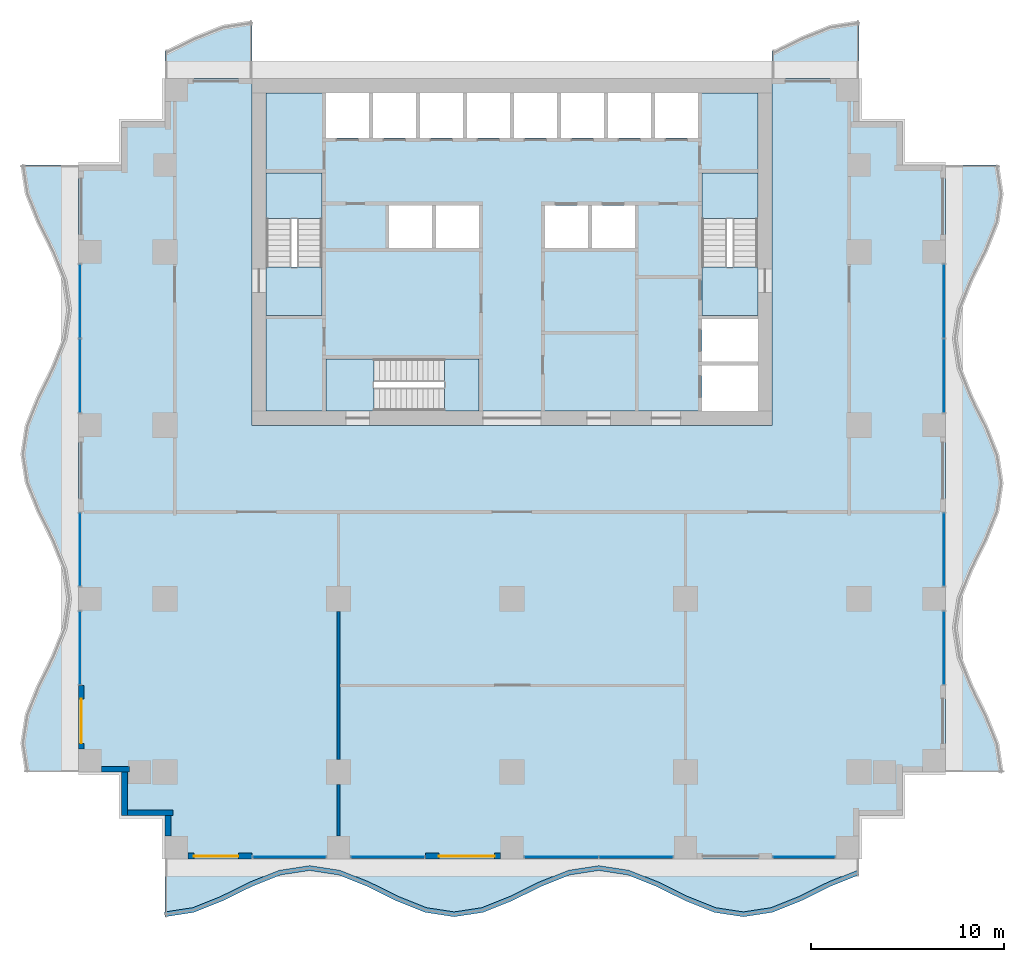
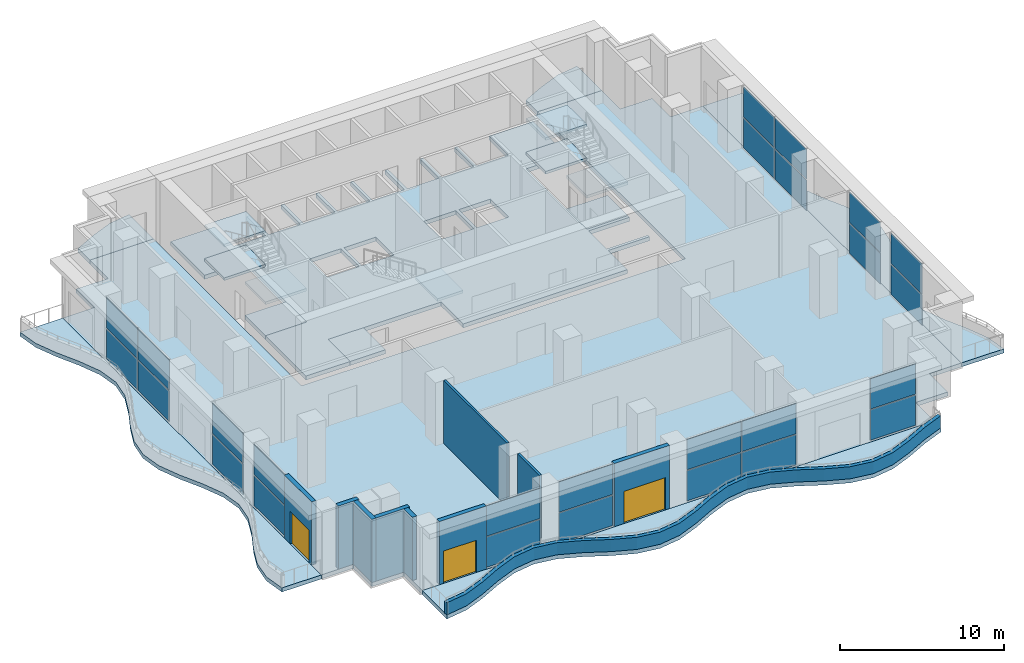
# One storey, part 7 of 14: 26 plates, 17 slabs, 10 walls, 3 doors, 3 openings, 13 elements without a shape of their own.
"""IFC4 building model written with IfcOpenShell, lengths in metres."""

from ifc_helpers import new_model, si_unit, direction, frame, frame_2d, origin, origin_2d, place, context, subcontext, project, spatial, polyline, rectangle, outline, extrude, material, layer, layer_set, type_object, element, fill, aggregate, save


model = new_model("IFC4")

# Units and contexts
model_context = context("Model", 3, precision=1e-05, world=origin(), true_north=direction((0.0, 1.0)))
body_context = subcontext(model_context, "Body", "Model", "MODEL_VIEW")
ifc_project = project(units=[si_unit("LENGTHUNIT", "METRE"), si_unit("AREAUNIT", "SQUARE_METRE"), si_unit("VOLUMEUNIT", "CUBIC_METRE"), si_unit("PLANEANGLEUNIT", "RADIAN"), si_unit("MASSUNIT", "GRAM", prefix="KILO")], contexts=[model_context])

# Site, building, storey
site_placement = place(None, origin())
site = spatial("IfcSite", under=ifc_project, at=site_placement, CompositionType="ELEMENT")
building_placement = place(site_placement, origin())
building = spatial("IfcBuilding", under=site, at=building_placement, Name="Orbiselva Terraces", CompositionType="ELEMENT")
storey_placement = place(building_placement, frame((0.0, 0.0, 120.0)))
storey = spatial("IfcBuildingStorey", under=building, at=storey_placement, Name="L30", CompositionType="ELEMENT", Elevation=120.0)

# Slabs
ifc_material_1 = material(Name="Concrete C40/50", Category="concrete")
ifc_layer_1 = layer(ifc_material_1, 0.3)
ifc_layer_set_1 = layer_set([ifc_layer_1], Name="Concrete C40/50")
slab_type_1 = type_object("IfcSlabType", Name="CORE-SLAB-FLOOR-300", PredefinedType="FLOOR", material=ifc_layer_set_1)
slab_1_placement = place(storey_placement, frame((0.0, 0.0, -0.3)))
element("IfcSlab", 1, at=slab_1_placement, inside=storey, type_object=slab_type_1, Name="L30 S1 floor landing", PredefinedType="FLOOR", context=body_context, shape_type="SweptSolid", body=[
    extrude(outline(polyline([(-12.75, 12.7), (-9.85, 12.7), (-9.85, 10.2), (-12.75, 10.2), (-12.75, 12.7)])), origin(), (0.0, 0.0, 1.0), 0.3),
])
slab_2_placement = place(storey_placement, frame((0.0, 0.0, -0.3)))
element("IfcSlab", 2, at=slab_2_placement, inside=storey, type_object=slab_type_1, Name="L30 S2 floor landing", PredefinedType="FLOOR", context=body_context, shape_type="SweptSolid", body=[
    extrude(outline(polyline([(12.75, 12.7), (12.75, 10.2), (9.85, 10.2), (9.85, 12.7), (12.75, 12.7)])), origin(), (0.0, 0.0, 1.0), 0.3),
])
slab_3_placement = place(storey_placement, frame((0.0, 0.0, -0.3)))
element("IfcSlab", 3, at=slab_3_placement, inside=storey, type_object=slab_type_1, Name="L30 S3 floor landing", PredefinedType="FLOOR", context=body_context, shape_type="SweptSolid", body=[
    extrude(outline(polyline([(-7.15, 5.25), (-9.65, 5.25), (-9.65, 7.95), (-7.15, 7.95), (-7.15, 5.25)])), origin(), (0.0, 0.0, 1.0), 0.3),
])
slab_4_placement = place(storey_placement, frame((0.0, 0.0, -0.3)))
element("IfcSlab", 4, at=slab_4_placement, inside=storey, type_object=slab_type_1, Name="L30 core floor slab 1", PredefinedType="FLOOR", context=body_context, shape_type="SweptSolid", body=[
    extrude(outline(polyline([(-1.7, 5.25), (-1.7, 7.95), (-9.65, 7.95), (-9.65, 5.25), (-12.75, 5.25), (-12.75, 10.2), (-9.85, 10.2), (-9.85, 17.6), (-12.75, 17.6), (-12.75, 21.75), (-9.65, 21.75), (-9.65, 19.4), (-7.4125, 19.4), (-7.4125, 21.75), (-7.2125, 21.75), (-7.2125, 19.4), (-4.975, 19.4), (-4.975, 21.75), (-4.775, 21.75), (-4.775, 19.4), (-2.5375, 19.4), (-2.5375, 21.75), (-2.3375, 21.75), (-2.3375, 19.4), (-0.1, 19.4), (-0.1, 21.75), (0.1, 21.75), (0.1, 19.4), (2.3375, 19.4), (2.3375, 21.75), (2.5375, 21.75), (2.5375, 19.4), (4.775, 19.4), (4.775, 21.75), (4.975, 21.75), (4.975, 19.4), (7.2125, 19.4), (7.2125, 21.75), (7.4125, 21.75), (7.4125, 19.4), (9.65, 19.4), (9.65, 21.75), (12.75, 21.75), (12.75, 17.6), (9.85, 17.6), (9.85, 10.2), (12.75, 10.2), (12.75, 10.0), (9.85, 10.0), (9.85, 7.8), (12.75, 7.8), (12.75, 7.6), (9.85, 7.6), (9.85, 5.25), (-1.7, 5.25)]), holes=[polyline([(-4.1375, 13.7), (-4.1375, 15.9), (-6.375, 15.9), (-6.375, 13.7), (-4.1375, 13.7)]), polyline([(-1.7, 13.7), (-1.7, 15.9), (-3.9375, 15.9), (-3.9375, 13.7), (-1.7, 13.7)]), polyline([(3.9375, 13.7), (3.9375, 15.9), (1.7, 15.9), (1.7, 13.7), (3.9375, 13.7)]), polyline([(6.375, 13.7), (6.375, 15.9), (4.1375, 15.9), (4.1375, 13.7), (6.375, 13.7)])]), origin(), (0.0, 0.0, 1.0), 0.3),
])

# Stair, slabs
stair_type_1 = type_object("IfcStairType", Name="CORE-STAIR-1300", PredefinedType="HALF_TURN_STAIR", material=ifc_material_1)
stair_1_placement = place(storey_placement, origin())
stair_1 = element("IfcStair", 5, at=stair_1_placement, inside=storey, type_object=stair_type_1, Name="L30 Exit Stair S1", PredefinedType="HALF_TURN_STAIR")
ifc_layer_2 = layer(ifc_material_1, 0.2)
ifc_layer_set_2 = layer_set([ifc_layer_2], Name="Concrete C40/50")
slab_type_2 = type_object("IfcSlabType", Name="CORE-STAIR-LANDING-200", PredefinedType="LANDING", material=ifc_layer_set_2)
slab_5_placement = place(storey_placement, frame((0.0, 0.0, 1.05)))
slab_5 = element("IfcSlab", 6, at=slab_5_placement, type_object=slab_type_2, Name="S1 landing 1", PredefinedType="LANDING", context=body_context, shape_type="SweptSolid", body=[
    extrude(outline(polyline([(-9.85, 15.22), (-9.85, 17.6), (-12.75, 17.6), (-12.75, 15.22), (-9.85, 15.22)])), origin(), (0.0, 0.0, 1.0), 0.2),
])
slab_6_placement = place(storey_placement, frame((0.0, 0.0, 2.3)))
slab_6 = element("IfcSlab", 7, at=slab_6_placement, type_object=slab_type_2, Name="S1 landing 2", PredefinedType="LANDING", context=body_context, shape_type="SweptSolid", body=[
    extrude(outline(polyline([(-9.85, 10.2), (-9.85, 12.7), (-12.75, 12.7), (-12.75, 10.2), (-9.85, 10.2)])), origin(), (0.0, 0.0, 1.0), 0.2),
])
slab_7_placement = place(storey_placement, frame((0.0, 0.0, 3.55)))
slab_7 = element("IfcSlab", 8, at=slab_7_placement, type_object=slab_type_2, Name="S1 landing 3", PredefinedType="LANDING", context=body_context, shape_type="SweptSolid", body=[
    extrude(outline(polyline([(-9.85, 15.22), (-9.85, 17.6), (-12.75, 17.6), (-12.75, 15.22), (-9.85, 15.22)])), origin(), (0.0, 0.0, 1.0), 0.2),
])
aggregate(stair_1, [slab_5, slab_6, slab_7])

stair_2_placement = place(storey_placement, origin())
stair_2 = element("IfcStair", 9, at=stair_2_placement, inside=storey, type_object=stair_type_1, Name="L30 Exit Stair S2", PredefinedType="HALF_TURN_STAIR")
slab_8_placement = place(storey_placement, frame((0.0, 0.0, 1.05)))
slab_8 = element("IfcSlab", 10, at=slab_8_placement, type_object=slab_type_2, Name="S2 landing 1", PredefinedType="LANDING", context=body_context, shape_type="SweptSolid", body=[
    extrude(outline(polyline([(12.75, 15.22), (12.75, 17.6), (9.85, 17.6), (9.85, 15.22), (12.75, 15.22)])), origin(), (0.0, 0.0, 1.0), 0.2),
])
slab_9_placement = place(storey_placement, frame((0.0, 0.0, 2.3)))
slab_9 = element("IfcSlab", 11, at=slab_9_placement, type_object=slab_type_2, Name="S2 landing 2", PredefinedType="LANDING", context=body_context, shape_type="SweptSolid", body=[
    extrude(outline(polyline([(12.75, 10.2), (12.75, 12.7), (9.85, 12.7), (9.85, 10.2), (12.75, 10.2)])), origin(), (0.0, 0.0, 1.0), 0.2),
])
slab_10_placement = place(storey_placement, frame((0.0, 0.0, 3.55)))
slab_10 = element("IfcSlab", 12, at=slab_10_placement, type_object=slab_type_2, Name="S2 landing 3", PredefinedType="LANDING", context=body_context, shape_type="SweptSolid", body=[
    extrude(outline(polyline([(12.75, 15.22), (12.75, 17.6), (9.85, 17.6), (9.85, 15.22), (12.75, 15.22)])), origin(), (0.0, 0.0, 1.0), 0.2),
])
aggregate(stair_2, [slab_8, slab_9, slab_10])

# Stair, slab
stair_type_2 = type_object("IfcStairType", Name="CORE-STAIR-1200", PredefinedType="HALF_TURN_STAIR", material=ifc_material_1)
stair_3_placement = place(storey_placement, origin())
stair_3 = element("IfcStair", 13, at=stair_3_placement, inside=storey, type_object=stair_type_2, Name="L30 Exit Stair S3", PredefinedType="HALF_TURN_STAIR")
slab_11_placement = place(storey_placement, frame((0.0, 0.0, 2.3)))
slab_11 = element("IfcSlab", 14, at=slab_11_placement, type_object=slab_type_2, Name="S3 landing 1", PredefinedType="LANDING", context=body_context, shape_type="SweptSolid", body=[
    extrude(outline(polyline([(-3.51, 5.25), (-1.7, 5.25), (-1.7, 7.95), (-3.51, 7.95), (-3.51, 5.25)])), origin(), (0.0, 0.0, 1.0), 0.2),
])
aggregate(stair_3, [slab_11])

# Slabs
ifc_material_2 = material(Name="Concrete C50/60", Category="concrete")
ifc_layer_3 = layer(ifc_material_2, 0.3)
ifc_layer_set_3 = layer_set([ifc_layer_3], Name="Concrete C50/60")
slab_type_3 = type_object("IfcSlabType", Name="ENV-BALCONY-SLAB-300", PredefinedType="FLOOR", material=ifc_layer_set_3)
slab_12_placement = place(storey_placement, frame((0.0, 0.0, -0.3)))
element("IfcSlab", 15, at=slab_12_placement, inside=storey, type_object=slab_type_3, Name="Balcony slab L30 S", PredefinedType="FLOOR", context=body_context, shape_type="SweptSolid", body=[
    extrude(outline(polyline([(-18.0, -21.0), (-16.5, -20.77082), (-15.0, -20.17082), (-13.5, -19.42918), (-12.0, -18.82918), (-10.5, -18.6), (-9.0, -18.82918), (-7.5, -19.42918), (-6.0, -20.17082), (-4.5, -20.77082), (-3.0, -21.0), (-1.5, -20.77082), (0.0, -20.17082), (1.5, -19.42918), (3.0, -18.82918), (4.5, -18.6), (6.0, -18.82918), (7.5, -19.42918), (9.0, -20.17082), (10.5, -20.77082), (12.0, -21.0), (13.5, -20.77082), (15.0, -20.17082), (16.5, -19.42918), (18.0, -18.82918), (18.0, -18.0), (-18.0, -18.0), (-18.0, -21.0)])), origin(), (0.0, 0.0, 1.0), 0.3),
])
slab_13_placement = place(storey_placement, frame((0.0, 0.0, -0.3)))
element("IfcSlab", 16, at=slab_13_placement, inside=storey, type_object=slab_type_3, Name="Balcony slab L30 E", PredefinedType="FLOOR", context=body_context, shape_type="SweptSolid", body=[
    extrude(outline(polyline([(25.5, -13.5), (25.27082, -12.0), (24.67082, -10.5), (23.92918, -9.0), (23.32918, -7.5), (23.1, -6.0), (23.32918, -4.5), (23.92918, -3.0), (24.67082, -1.5), (25.27082, 0.0), (25.5, 1.5), (25.27082, 3.0), (24.67082, 4.5), (23.92918, 6.0), (23.32918, 7.5), (23.1, 9.0), (23.32918, 10.5), (23.92918, 12.0), (24.67082, 13.5), (25.27082, 15.0), (25.5, 16.5), (25.27082, 18.0), (22.5, 18.0), (22.5, -13.5), (25.5, -13.5)])), origin(), (0.0, 0.0, 1.0), 0.3),
])
slab_14_placement = place(storey_placement, frame((0.0, 0.0, -0.3)))
element("IfcSlab", 17, at=slab_14_placement, inside=storey, type_object=slab_type_3, Name="Balcony slab L30 NE", PredefinedType="FLOOR", context=body_context, shape_type="SweptSolid", body=[
    extrude(outline(polyline([(18.0, 25.5), (16.5, 25.27082), (15.0, 24.67082), (13.5, 23.92918), (13.5, 22.5), (18.0, 22.5), (18.0, 25.5)])), origin(), (0.0, 0.0, 1.0), 0.3),
])
slab_15_placement = place(storey_placement, frame((0.0, 0.0, -0.3)))
element("IfcSlab", 18, at=slab_15_placement, inside=storey, type_object=slab_type_3, Name="Balcony slab L30 NW", PredefinedType="FLOOR", context=body_context, shape_type="SweptSolid", body=[
    extrude(outline(polyline([(-13.5, 25.5), (-15.0, 25.27082), (-16.5, 24.67082), (-18.0, 23.92918), (-18.0, 22.5), (-13.5, 22.5), (-13.5, 25.5)])), origin(), (0.0, 0.0, 1.0), 0.3),
])
slab_16_placement = place(storey_placement, frame((0.0, 0.0, -0.3)))
element("IfcSlab", 19, at=slab_16_placement, inside=storey, type_object=slab_type_3, Name="Balcony slab L30 W", PredefinedType="FLOOR", context=body_context, shape_type="SweptSolid", body=[
    extrude(outline(polyline([(-25.5, 18.0), (-25.27082, 16.5), (-24.67082, 15.0), (-23.92918, 13.5), (-23.32918, 12.0), (-23.1, 10.5), (-23.32918, 9.0), (-23.92918, 7.5), (-24.67082, 6.0), (-25.27082, 4.5), (-25.5, 3.0), (-25.27082, 1.5), (-24.67082, 0.0), (-23.92918, -1.5), (-23.32918, -3.0), (-23.1, -4.5), (-23.32918, -6.0), (-23.92918, -7.5), (-24.67082, -9.0), (-25.27082, -10.5), (-25.5, -12.0), (-25.27082, -13.5), (-22.5, -13.5), (-22.5, 18.0), (-25.5, 18.0)])), origin(), (0.0, 0.0, 1.0), 0.3),
])

# Curtain wall, plates
ifc_material_3 = material(Name="Clear low-e glazing in aluminium frame", Category="aluminium")
curtain_wall_type = type_object("IfcCurtainWallType", Name="ENV-CW-SKY", PredefinedType="NOTDEFINED", material=ifc_material_3)
curtain_wall_1_placement = place(storey_placement, origin())
curtain_wall_1 = element("IfcCurtainWall", 20, at=curtain_wall_1_placement, inside=storey, type_object=curtain_wall_type, Name="Curtain wall L30 S", PredefinedType="NOTDEFINED")
ifc_material_4 = material(Name="Clear low-e glass", Category="glass")
ifc_layer_4 = layer(ifc_material_4, 0.028)
ifc_layer_set_4 = layer_set([ifc_layer_4], Name="Clear low-e glass")
plate_type = type_object("IfcPlateType", Name="ENV-CW-SKY-PANEL-28", PredefinedType="CURTAIN_PANEL", material=ifc_layer_set_4)
plate_1_placement = place(storey_placement, frame((-11.55, -17.9, 0.065), z_axis=(0.0, 0.0, 1.0), x_axis=(1.0, 0.0, 0.0)))
plate_1 = element("IfcPlate", 21, at=plate_1_placement, type_object=plate_type, Name="CW3 panel 1.1", PredefinedType="CURTAIN_PANEL", context=body_context, shape_type="SweptSolid", body=[
    extrude(rectangle(XDim=3.77, YDim=0.028, at=origin_2d()), origin(), (0.0, 0.0, 1.0), 2.2525),
])
plate_2_placement = place(storey_placement, frame((-11.55, -17.9, 2.3825), z_axis=(0.0, 0.0, 1.0), x_axis=(1.0, 0.0, 0.0)))
plate_2 = element("IfcPlate", 22, at=plate_2_placement, type_object=plate_type, Name="CW3 panel 1.2", PredefinedType="CURTAIN_PANEL", context=body_context, shape_type="SweptSolid", body=[
    extrude(rectangle(XDim=3.77, YDim=0.028, at=origin_2d()), origin(), (0.0, 0.0, 1.0), 2.2525),
])
aggregate(curtain_wall_1, [plate_1, plate_2])

curtain_wall_2_placement = place(storey_placement, origin())
curtain_wall_2 = element("IfcCurtainWall", 23, at=curtain_wall_2_placement, inside=storey, type_object=curtain_wall_type, Name="Curtain wall L30 S", PredefinedType="NOTDEFINED")
plate_3_placement = place(storey_placement, frame((-6.45, -17.9, 0.065), z_axis=(0.0, 0.0, 1.0), x_axis=(1.0, 0.0, 0.0)))
plate_3 = element("IfcPlate", 24, at=plate_3_placement, type_object=plate_type, Name="CW3 panel 1.1", PredefinedType="CURTAIN_PANEL", context=body_context, shape_type="SweptSolid", body=[
    extrude(rectangle(XDim=3.77, YDim=0.028, at=origin_2d()), origin(), (0.0, 0.0, 1.0), 2.2525),
])
plate_4_placement = place(storey_placement, frame((-6.45, -17.9, 2.3825), z_axis=(0.0, 0.0, 1.0), x_axis=(1.0, 0.0, 0.0)))
plate_4 = element("IfcPlate", 25, at=plate_4_placement, type_object=plate_type, Name="CW3 panel 1.2", PredefinedType="CURTAIN_PANEL", context=body_context, shape_type="SweptSolid", body=[
    extrude(rectangle(XDim=3.77, YDim=0.028, at=origin_2d()), origin(), (0.0, 0.0, 1.0), 2.2525),
])
aggregate(curtain_wall_2, [plate_3, plate_4])

curtain_wall_3_placement = place(storey_placement, origin())
curtain_wall_3 = element("IfcCurtainWall", 26, at=curtain_wall_3_placement, inside=storey, type_object=curtain_wall_type, Name="Curtain wall L30 S", PredefinedType="NOTDEFINED")
plate_5_placement = place(storey_placement, frame((2.56625, -17.9, 0.065), z_axis=(0.0, 0.0, 1.0), x_axis=(1.0, 0.0, 0.0)))
plate_5 = element("IfcPlate", 27, at=plate_5_placement, type_object=plate_type, Name="CW3 panel 1.1", PredefinedType="CURTAIN_PANEL", context=body_context, shape_type="SweptSolid", body=[
    extrude(rectangle(XDim=3.8025, YDim=0.028, at=origin_2d()), origin(), (0.0, 0.0, 1.0), 2.2525),
])
plate_6_placement = place(storey_placement, frame((2.56625, -17.9, 2.3825), z_axis=(0.0, 0.0, 1.0), x_axis=(1.0, 0.0, 0.0)))
plate_6 = element("IfcPlate", 28, at=plate_6_placement, type_object=plate_type, Name="CW3 panel 1.2", PredefinedType="CURTAIN_PANEL", context=body_context, shape_type="SweptSolid", body=[
    extrude(rectangle(XDim=3.8025, YDim=0.028, at=origin_2d()), origin(), (0.0, 0.0, 1.0), 2.2525),
])
plate_7_placement = place(storey_placement, frame((6.43375, -17.9, 0.065), z_axis=(0.0, 0.0, 1.0), x_axis=(1.0, 0.0, 0.0)))
plate_7 = element("IfcPlate", 29, at=plate_7_placement, type_object=plate_type, Name="CW3 panel 2.1", PredefinedType="CURTAIN_PANEL", context=body_context, shape_type="SweptSolid", body=[
    extrude(rectangle(XDim=3.8025, YDim=0.028, at=origin_2d()), origin(), (0.0, 0.0, 1.0), 2.2525),
])
plate_8_placement = place(storey_placement, frame((6.43375, -17.9, 2.3825), z_axis=(0.0, 0.0, 1.0), x_axis=(1.0, 0.0, 0.0)))
plate_8 = element("IfcPlate", 30, at=plate_8_placement, type_object=plate_type, Name="CW3 panel 2.2", PredefinedType="CURTAIN_PANEL", context=body_context, shape_type="SweptSolid", body=[
    extrude(rectangle(XDim=3.8025, YDim=0.028, at=origin_2d()), origin(), (0.0, 0.0, 1.0), 2.2525),
])
aggregate(curtain_wall_3, [plate_5, plate_6, plate_7, plate_8])

curtain_wall_4_placement = place(storey_placement, origin())
curtain_wall_4 = element("IfcCurtainWall", 31, at=curtain_wall_4_placement, inside=storey, type_object=curtain_wall_type, Name="Curtain wall L30 S", PredefinedType="NOTDEFINED")
plate_9_placement = place(storey_placement, frame((15.15, -17.9, 0.065), z_axis=(0.0, 0.0, 1.0), x_axis=(1.0, 0.0, 0.0)))
plate_9 = element("IfcPlate", 32, at=plate_9_placement, type_object=plate_type, Name="CW3 panel 1.1", PredefinedType="CURTAIN_PANEL", context=body_context, shape_type="SweptSolid", body=[
    extrude(rectangle(XDim=3.17, YDim=0.028, at=origin_2d()), origin(), (0.0, 0.0, 1.0), 2.2525),
])
plate_10_placement = place(storey_placement, frame((15.15, -17.9, 2.3825), z_axis=(0.0, 0.0, 1.0), x_axis=(1.0, 0.0, 0.0)))
plate_10 = element("IfcPlate", 33, at=plate_10_placement, type_object=plate_type, Name="CW3 panel 1.2", PredefinedType="CURTAIN_PANEL", context=body_context, shape_type="SweptSolid", body=[
    extrude(rectangle(XDim=3.17, YDim=0.028, at=origin_2d()), origin(), (0.0, 0.0, 1.0), 2.2525),
])
aggregate(curtain_wall_4, [plate_9, plate_10])

curtain_wall_5_placement = place(storey_placement, origin())
curtain_wall_5 = element("IfcCurtainWall", 34, at=curtain_wall_5_placement, inside=storey, type_object=curtain_wall_type, Name="Curtain wall L30 E", PredefinedType="NOTDEFINED")
plate_11_placement = place(storey_placement, frame((22.4, -7.05, 0.065), z_axis=(0.0, 0.0, 1.0), x_axis=(0.0, 1.0, 0.0)))
plate_11 = element("IfcPlate", 35, at=plate_11_placement, type_object=plate_type, Name="CW3 panel 1.1", PredefinedType="CURTAIN_PANEL", context=body_context, shape_type="SweptSolid", body=[
    extrude(rectangle(XDim=3.77, YDim=0.028, at=origin_2d()), origin(), (0.0, 0.0, 1.0), 2.2525),
])
plate_12_placement = place(storey_placement, frame((22.4, -7.05, 2.3825), z_axis=(0.0, 0.0, 1.0), x_axis=(0.0, 1.0, 0.0)))
plate_12 = element("IfcPlate", 36, at=plate_12_placement, type_object=plate_type, Name="CW3 panel 1.2", PredefinedType="CURTAIN_PANEL", context=body_context, shape_type="SweptSolid", body=[
    extrude(rectangle(XDim=3.77, YDim=0.028, at=origin_2d()), origin(), (0.0, 0.0, 1.0), 2.2525),
])
aggregate(curtain_wall_5, [plate_11, plate_12])

curtain_wall_6_placement = place(storey_placement, origin())
curtain_wall_6 = element("IfcCurtainWall", 37, at=curtain_wall_6_placement, inside=storey, type_object=curtain_wall_type, Name="Curtain wall L30 E", PredefinedType="NOTDEFINED")
plate_13_placement = place(storey_placement, frame((22.4, -1.95, 0.065), z_axis=(0.0, 0.0, 1.0), x_axis=(0.0, 1.0, 0.0)))
plate_13 = element("IfcPlate", 38, at=plate_13_placement, type_object=plate_type, Name="CW3 panel 1.1", PredefinedType="CURTAIN_PANEL", context=body_context, shape_type="SweptSolid", body=[
    extrude(rectangle(XDim=3.77, YDim=0.028, at=origin_2d()), origin(), (0.0, 0.0, 1.0), 2.2525),
])
plate_14_placement = place(storey_placement, frame((22.4, -1.95, 2.3825), z_axis=(0.0, 0.0, 1.0), x_axis=(0.0, 1.0, 0.0)))
plate_14 = element("IfcPlate", 39, at=plate_14_placement, type_object=plate_type, Name="CW3 panel 1.2", PredefinedType="CURTAIN_PANEL", context=body_context, shape_type="SweptSolid", body=[
    extrude(rectangle(XDim=3.77, YDim=0.028, at=origin_2d()), origin(), (0.0, 0.0, 1.0), 2.2525),
])
aggregate(curtain_wall_6, [plate_13, plate_14])

curtain_wall_7_placement = place(storey_placement, origin())
curtain_wall_7 = element("IfcCurtainWall", 40, at=curtain_wall_7_placement, inside=storey, type_object=curtain_wall_type, Name="Curtain wall L30 E", PredefinedType="NOTDEFINED")
plate_15_placement = place(storey_placement, frame((22.4, 7.06625, 0.065), z_axis=(0.0, 0.0, 1.0), x_axis=(0.0, 1.0, 0.0)))
plate_15 = element("IfcPlate", 41, at=plate_15_placement, type_object=plate_type, Name="CW3 panel 1.1", PredefinedType="CURTAIN_PANEL", context=body_context, shape_type="SweptSolid", body=[
    extrude(rectangle(XDim=3.8025, YDim=0.028, at=origin_2d()), origin(), (0.0, 0.0, 1.0), 2.2525),
])
plate_16_placement = place(storey_placement, frame((22.4, 7.06625, 2.3825), z_axis=(0.0, 0.0, 1.0), x_axis=(0.0, 1.0, 0.0)))
plate_16 = element("IfcPlate", 42, at=plate_16_placement, type_object=plate_type, Name="CW3 panel 1.2", PredefinedType="CURTAIN_PANEL", context=body_context, shape_type="SweptSolid", body=[
    extrude(rectangle(XDim=3.8025, YDim=0.028, at=origin_2d()), origin(), (0.0, 0.0, 1.0), 2.2525),
])
plate_17_placement = place(storey_placement, frame((22.4, 10.93375, 0.065), z_axis=(0.0, 0.0, 1.0), x_axis=(0.0, 1.0, 0.0)))
plate_17 = element("IfcPlate", 43, at=plate_17_placement, type_object=plate_type, Name="CW3 panel 2.1", PredefinedType="CURTAIN_PANEL", context=body_context, shape_type="SweptSolid", body=[
    extrude(rectangle(XDim=3.8025, YDim=0.028, at=origin_2d()), origin(), (0.0, 0.0, 1.0), 2.2525),
])
plate_18_placement = place(storey_placement, frame((22.4, 10.93375, 2.3825), z_axis=(0.0, 0.0, 1.0), x_axis=(0.0, 1.0, 0.0)))
plate_18 = element("IfcPlate", 44, at=plate_18_placement, type_object=plate_type, Name="CW3 panel 2.2", PredefinedType="CURTAIN_PANEL", context=body_context, shape_type="SweptSolid", body=[
    extrude(rectangle(XDim=3.8025, YDim=0.028, at=origin_2d()), origin(), (0.0, 0.0, 1.0), 2.2525),
])
aggregate(curtain_wall_7, [plate_15, plate_16, plate_17, plate_18])

curtain_wall_8_placement = place(storey_placement, origin())
curtain_wall_8 = element("IfcCurtainWall", 45, at=curtain_wall_8_placement, inside=storey, type_object=curtain_wall_type, Name="Curtain wall L30 W", PredefinedType="NOTDEFINED")
plate_19_placement = place(storey_placement, frame((-22.4, 10.93375, 0.065), z_axis=(0.0, 0.0, 1.0), x_axis=(0.0, -1.0, 0.0)))
plate_19 = element("IfcPlate", 46, at=plate_19_placement, type_object=plate_type, Name="CW3 panel 1.1", PredefinedType="CURTAIN_PANEL", context=body_context, shape_type="SweptSolid", body=[
    extrude(rectangle(XDim=3.8025, YDim=0.028, at=origin_2d()), origin(), (0.0, 0.0, 1.0), 2.2525),
])
plate_20_placement = place(storey_placement, frame((-22.4, 10.93375, 2.3825), z_axis=(0.0, 0.0, 1.0), x_axis=(0.0, -1.0, 0.0)))
plate_20 = element("IfcPlate", 47, at=plate_20_placement, type_object=plate_type, Name="CW3 panel 1.2", PredefinedType="CURTAIN_PANEL", context=body_context, shape_type="SweptSolid", body=[
    extrude(rectangle(XDim=3.8025, YDim=0.028, at=origin_2d()), origin(), (0.0, 0.0, 1.0), 2.2525),
])
plate_21_placement = place(storey_placement, frame((-22.4, 7.06625, 0.065), z_axis=(0.0, 0.0, 1.0), x_axis=(0.0, -1.0, 0.0)))
plate_21 = element("IfcPlate", 48, at=plate_21_placement, type_object=plate_type, Name="CW3 panel 2.1", PredefinedType="CURTAIN_PANEL", context=body_context, shape_type="SweptSolid", body=[
    extrude(rectangle(XDim=3.8025, YDim=0.028, at=origin_2d()), origin(), (0.0, 0.0, 1.0), 2.2525),
])
plate_22_placement = place(storey_placement, frame((-22.4, 7.06625, 2.3825), z_axis=(0.0, 0.0, 1.0), x_axis=(0.0, -1.0, 0.0)))
plate_22 = element("IfcPlate", 49, at=plate_22_placement, type_object=plate_type, Name="CW3 panel 2.2", PredefinedType="CURTAIN_PANEL", context=body_context, shape_type="SweptSolid", body=[
    extrude(rectangle(XDim=3.8025, YDim=0.028, at=origin_2d()), origin(), (0.0, 0.0, 1.0), 2.2525),
])
aggregate(curtain_wall_8, [plate_19, plate_20, plate_21, plate_22])

curtain_wall_9_placement = place(storey_placement, origin())
curtain_wall_9 = element("IfcCurtainWall", 50, at=curtain_wall_9_placement, inside=storey, type_object=curtain_wall_type, Name="Curtain wall L30 W", PredefinedType="NOTDEFINED")
plate_23_placement = place(storey_placement, frame((-22.4, -1.95, 0.065), z_axis=(0.0, 0.0, 1.0), x_axis=(0.0, -1.0, 0.0)))
plate_23 = element("IfcPlate", 51, at=plate_23_placement, type_object=plate_type, Name="CW3 panel 1.1", PredefinedType="CURTAIN_PANEL", context=body_context, shape_type="SweptSolid", body=[
    extrude(rectangle(XDim=3.77, YDim=0.028, at=origin_2d()), origin(), (0.0, 0.0, 1.0), 2.2525),
])
plate_24_placement = place(storey_placement, frame((-22.4, -1.95, 2.3825), z_axis=(0.0, 0.0, 1.0), x_axis=(0.0, -1.0, 0.0)))
plate_24 = element("IfcPlate", 52, at=plate_24_placement, type_object=plate_type, Name="CW3 panel 1.2", PredefinedType="CURTAIN_PANEL", context=body_context, shape_type="SweptSolid", body=[
    extrude(rectangle(XDim=3.77, YDim=0.028, at=origin_2d()), origin(), (0.0, 0.0, 1.0), 2.2525),
])
aggregate(curtain_wall_9, [plate_23, plate_24])

curtain_wall_10_placement = place(storey_placement, origin())
curtain_wall_10 = element("IfcCurtainWall", 53, at=curtain_wall_10_placement, inside=storey, type_object=curtain_wall_type, Name="Curtain wall L30 W", PredefinedType="NOTDEFINED")
plate_25_placement = place(storey_placement, frame((-22.4, -7.05, 0.065), z_axis=(0.0, 0.0, 1.0), x_axis=(0.0, -1.0, 0.0)))
plate_25 = element("IfcPlate", 54, at=plate_25_placement, type_object=plate_type, Name="CW3 panel 1.1", PredefinedType="CURTAIN_PANEL", context=body_context, shape_type="SweptSolid", body=[
    extrude(rectangle(XDim=3.77, YDim=0.028, at=origin_2d()), origin(), (0.0, 0.0, 1.0), 2.2525),
])
plate_26_placement = place(storey_placement, frame((-22.4, -7.05, 2.3825), z_axis=(0.0, 0.0, 1.0), x_axis=(0.0, -1.0, 0.0)))
plate_26 = element("IfcPlate", 55, at=plate_26_placement, type_object=plate_type, Name="CW3 panel 1.2", PredefinedType="CURTAIN_PANEL", context=body_context, shape_type="SweptSolid", body=[
    extrude(rectangle(XDim=3.77, YDim=0.028, at=origin_2d()), origin(), (0.0, 0.0, 1.0), 2.2525),
])
aggregate(curtain_wall_10, [plate_25, plate_26])

# Slab
ifc_layer_5 = layer(ifc_material_2, 0.3)
ifc_layer_set_5 = layer_set([ifc_layer_5], Name="Concrete C50/60")
slab_type_4 = type_object("IfcSlabType", Name="FLOOR SLAB 300", PredefinedType="FLOOR", material=ifc_layer_set_5)
slab_17_placement = place(storey_placement, frame((0.0, 0.0, -0.3)))
element("IfcSlab", 56, at=slab_17_placement, inside=storey, type_object=slab_type_4, Name="Floor slab L30", PredefinedType="FLOOR", context=body_context, shape_type="SweptSolid", body=[
    extrude(outline(polyline([(18.0, 22.5), (18.0, 20.25), (20.25, 20.25), (20.25, 18.0), (22.5, 18.0), (22.5, -13.5), (20.25, -13.5), (20.25, -15.75), (18.0, -15.75), (18.0, -18.0), (-18.0, -18.0), (-18.0, -15.75), (-20.25, -15.75), (-20.25, -13.5), (-22.5, -13.5), (-22.5, 18.0), (-20.25, 18.0), (-20.25, 20.25), (-18.0, 20.25), (-18.0, 22.5), (-13.5, 22.5), (-13.5, 4.5), (13.5, 4.5), (13.5, 22.5), (18.0, 22.5)])), origin(), (0.0, 0.0, 1.0), 0.3),
])

# Wall
ifc_layer_6 = layer(ifc_material_1, 0.25)
ifc_layer_set_6 = layer_set([ifc_layer_6], Name="Concrete C40/50")
wall_type_1 = type_object("IfcWallType", Name="ENV-PLANTER-250x900", PredefinedType="USERDEFINED", material=ifc_layer_set_6)
wall_1_placement = place(storey_placement, origin())
element("IfcWall", 57, at=wall_1_placement, inside=storey, type_object=wall_type_1, Name="Balcony planter L30 S", ObjectType="PLANTER", PredefinedType="USERDEFINED", context=body_context, shape_type="SweptSolid", body=[
    extrude(outline(polyline([(-18.0, -21.0), (-16.5, -20.77082), (-15.0, -20.17082), (-13.5, -19.42918), (-12.0, -18.82918), (-10.5, -18.6), (-9.0, -18.82918), (-7.5, -19.42918), (-6.0, -20.17082), (-4.5, -20.77082), (-3.0, -21.0), (-1.5, -20.77082), (0.0, -20.17082), (1.5, -19.42918), (3.0, -18.82918), (4.5, -18.6), (6.0, -18.82918), (7.5, -19.42918), (9.0, -20.17082), (10.5, -20.77082), (12.0, -21.0), (13.5, -20.77082), (15.0, -20.17082), (16.5, -19.42918), (18.0, -18.82918), (17.907152, -18.597061), (16.398017, -19.200715), (14.898017, -19.942355), (13.433834, -20.528028), (12.0, -20.747099), (10.566166, -20.528028), (9.101983, -19.942355), (7.601983, -19.200715), (6.066166, -18.586388), (4.5, -18.347099), (2.933834, -18.586388), (1.398017, -19.200715), (-0.101983, -19.942355), (-1.566166, -20.528028), (-3.0, -20.747099), (-4.433834, -20.528028), (-5.898017, -19.942355), (-7.398017, -19.200715), (-8.933834, -18.586388), (-10.5, -18.347099), (-12.066166, -18.586388), (-13.601983, -19.200715), (-15.101983, -19.942355), (-16.566166, -20.528028), (-18.037758, -20.752868), (-18.0, -21.0)])), origin(), (0.0, 0.0, 1.0), 0.9),
])

# Wall, opening, door
ifc_material_5 = material(Name="Terracotta cladding on masonry backing", Category="masonry")
ifc_layer_7 = layer(ifc_material_5, 0.3)
ifc_layer_set_7 = layer_set([ifc_layer_7], Name="Terracotta cladding on masonry backing")
wall_type_2 = type_object("IfcWallType", Name="ENV-WALL-TERRACOTTA-300", PredefinedType="SOLIDWALL", material=ifc_layer_set_7)
wall_2_placement = place(storey_placement, frame((-13.5, -17.85, 0.0), z_axis=(0.0, 0.0, 1.0), x_axis=(-1.0, 0.0, 0.0)))
wall_2 = element("IfcWall", 58, at=wall_2_placement, inside=storey, type_object=wall_type_2, Name="Facade wall L30 S", PredefinedType="SOLIDWALL", context=body_context, shape_type="SweptSolid", body=[
    extrude(rectangle(XDim=3.3, YDim=0.3, at=frame_2d((1.65, 0.0))), origin(), (0.0, 0.0, 1.0), 4.7),
])
opening_1_placement = place(wall_2_placement, frame((0.7, 0.0, 0.0)))
opening_1 = element("IfcOpeningElement", 59, at=opening_1_placement, cuts=wall_2, Name="Opening SKY-2-E01", PredefinedType="OPENING", context=body_context, shape_type="SweptSolid", body=[
    extrude(rectangle(XDim=2.3, YDim=2.4, at=frame_2d((1.15, 1.2))), frame((0.0, 0.16, 0.0), z_axis=(0.0, -1.0, 0.0), x_axis=(1.0, 0.0, 0.0)), (0.0, 0.0, 1.0), 0.32),
])
door_type_1 = type_object("IfcDoorType", Name="BALCONY DOOR 2300 X 2400", OperationType="DOUBLE_DOOR_SLIDING", PredefinedType="DOOR", material=ifc_material_3)
door_1_placement = place(opening_1_placement, origin())
door_1 = element("IfcDoor", 60, at=door_1_placement, inside=storey, type_object=door_type_1, Name="SKY-2-E01", OperationType="SINGLE_SWING_LEFT", OverallHeight=2.4, OverallWidth=2.3, PredefinedType="DOOR", context=body_context, shape_type="SweptSolid", body=[
    extrude(rectangle(XDim=2.3, YDim=2.4, at=frame_2d((1.15, 1.2))), frame((0.0, 0.025, 0.0), z_axis=(0.0, -1.0, 0.0), x_axis=(1.0, 0.0, 0.0)), (0.0, 0.0, 1.0), 0.05),
])
fill(opening_1, door_1)

wall_3_placement = place(storey_placement, frame((-0.6, -17.85, 0.0), z_axis=(0.0, 0.0, 1.0), x_axis=(-1.0, 0.0, 0.0)))
wall_3 = element("IfcWall", 61, at=wall_3_placement, inside=storey, type_object=wall_type_2, Name="Facade wall L30 S", PredefinedType="SOLIDWALL", context=body_context, shape_type="SweptSolid", body=[
    extrude(rectangle(XDim=3.9, YDim=0.3, at=frame_2d((1.95, 0.0))), origin(), (0.0, 0.0, 1.0), 4.7),
])
opening_2_placement = place(wall_3_placement, frame((0.3, 0.0, 0.0)))
opening_2 = element("IfcOpeningElement", 62, at=opening_2_placement, cuts=wall_3, Name="Opening SKY-2-E02", PredefinedType="OPENING", context=body_context, shape_type="SweptSolid", body=[
    extrude(rectangle(XDim=2.9, YDim=2.4, at=frame_2d((1.45, 1.2))), frame((0.0, 0.16, 0.0), z_axis=(0.0, -1.0, 0.0), x_axis=(1.0, 0.0, 0.0)), (0.0, 0.0, 1.0), 0.32),
])
door_type_2 = type_object("IfcDoorType", Name="BALCONY DOOR 2900 X 2400", OperationType="DOUBLE_DOOR_SLIDING", PredefinedType="DOOR", material=ifc_material_3)
door_2_placement = place(opening_2_placement, origin())
door_2 = element("IfcDoor", 63, at=door_2_placement, inside=storey, type_object=door_type_2, Name="SKY-2-E02", OperationType="SINGLE_SWING_LEFT", OverallHeight=2.4, OverallWidth=2.9, PredefinedType="DOOR", context=body_context, shape_type="SweptSolid", body=[
    extrude(rectangle(XDim=2.9, YDim=2.4, at=frame_2d((1.45, 1.2))), frame((0.0, 0.025, 0.0), z_axis=(0.0, -1.0, 0.0), x_axis=(1.0, 0.0, 0.0)), (0.0, 0.0, 1.0), 0.05),
])
fill(opening_2, door_2)

wall_4_placement = place(storey_placement, frame((-22.35, -12.3, 0.0), z_axis=(0.0, 0.0, 1.0), x_axis=(0.0, 1.0, 0.0)))
wall_4 = element("IfcWall", 64, at=wall_4_placement, inside=storey, type_object=wall_type_2, Name="Facade wall L30 W", PredefinedType="SOLIDWALL", context=body_context, shape_type="SweptSolid", body=[
    extrude(rectangle(XDim=3.3, YDim=0.3, at=frame_2d((1.65, 0.0))), origin(), (0.0, 0.0, 1.0), 4.7),
])
opening_3_placement = place(wall_4_placement, frame((0.3, 0.0, 0.0)))
opening_3 = element("IfcOpeningElement", 65, at=opening_3_placement, cuts=wall_4, Name="Opening SKY-2-E11", PredefinedType="OPENING", context=body_context, shape_type="SweptSolid", body=[
    extrude(rectangle(XDim=2.3, YDim=2.4, at=frame_2d((1.15, 1.2))), frame((0.0, 0.16, 0.0), z_axis=(0.0, -1.0, 0.0), x_axis=(1.0, 0.0, 0.0)), (0.0, 0.0, 1.0), 0.32),
])
door_3_placement = place(opening_3_placement, origin())
door_3 = element("IfcDoor", 66, at=door_3_placement, inside=storey, type_object=door_type_1, Name="SKY-2-E11", OperationType="SINGLE_SWING_LEFT", OverallHeight=2.4, OverallWidth=2.3, PredefinedType="DOOR", context=body_context, shape_type="SweptSolid", body=[
    extrude(rectangle(XDim=2.3, YDim=2.4, at=frame_2d((1.15, 1.2))), frame((0.0, 0.025, 0.0), z_axis=(0.0, -1.0, 0.0), x_axis=(1.0, 0.0, 0.0)), (0.0, 0.0, 1.0), 0.05),
])
fill(opening_3, door_3)

# Walls
wall_5_placement = place(storey_placement, frame((-19.85, -13.35, 0.0), z_axis=(0.0, 0.0, 1.0), x_axis=(-1.0, 0.0, 0.0)))
element("IfcWall", 67, at=wall_5_placement, inside=storey, type_object=wall_type_2, Name="Facade wall L30 STEP", PredefinedType="SOLIDWALL", context=body_context, shape_type="SweptSolid", body=[
    extrude(rectangle(XDim=1.45, YDim=0.3, at=frame_2d((0.725, 0.0))), origin(), (0.0, 0.0, 1.0), 4.7),
])
wall_6_placement = place(storey_placement, frame((-20.1, -15.75, 0.0), z_axis=(0.0, 0.0, 1.0), x_axis=(0.0, 1.0, 0.0)))
element("IfcWall", 68, at=wall_6_placement, inside=storey, type_object=wall_type_2, Name="Facade wall L30 STEP", PredefinedType="SOLIDWALL", context=body_context, shape_type="SweptSolid", body=[
    extrude(rectangle(XDim=2.25, YDim=0.3, at=frame_2d((1.125, 0.0))), origin(), (0.0, 0.0, 1.0), 4.7),
])
wall_7_placement = place(storey_placement, frame((-17.6, -15.6, 0.0), z_axis=(0.0, 0.0, 1.0), x_axis=(-1.0, 0.0, 0.0)))
element("IfcWall", 69, at=wall_7_placement, inside=storey, type_object=wall_type_2, Name="Facade wall L30 STEP", PredefinedType="SOLIDWALL", context=body_context, shape_type="SweptSolid", body=[
    extrude(rectangle(XDim=2.35, YDim=0.3, at=frame_2d((1.175, 0.0))), origin(), (0.0, 0.0, 1.0), 4.7),
])
wall_8_placement = place(storey_placement, frame((-17.85, -16.8, 0.0), z_axis=(0.0, 0.0, 1.0), x_axis=(0.0, 1.0, 0.0)))
element("IfcWall", 70, at=wall_8_placement, inside=storey, type_object=wall_type_2, Name="Facade wall L30 STEP", PredefinedType="SOLIDWALL", context=body_context, shape_type="SweptSolid", body=[
    extrude(rectangle(XDim=1.05, YDim=0.3, at=frame_2d((0.525, 0.0))), origin(), (0.0, 0.0, 1.0), 4.7),
])
ifc_material_6 = material(Name="Plasterboard on steel stud partition", Category="steel")
ifc_layer_8 = layer(ifc_material_6, 0.15)
ifc_layer_set_8 = layer_set([ifc_layer_8], Name="Plasterboard on steel stud partition")
wall_type_3 = type_object("IfcWallType", Name="UNIT-PARTITION-150", PredefinedType="PARTITIONING", material=ifc_layer_set_8)
wall_9_placement = place(storey_placement, frame((-9.0, -16.8, 0.0), z_axis=(0.0, 0.0, 1.0), x_axis=(0.0, 1.0, 0.0)))
element("IfcWall", 71, at=wall_9_placement, inside=storey, type_object=wall_type_3, Name="PARTITION L30-009", PredefinedType="PARTITIONING", context=body_context, shape_type="SweptSolid", body=[
    extrude(rectangle(XDim=2.65, YDim=0.15, at=frame_2d((1.325, 0.0))), origin(), (0.0, 0.0, 1.0), 4.7),
])
wall_10_placement = place(storey_placement, frame((-9.0, -12.85, 0.0), z_axis=(0.0, 0.0, 1.0), x_axis=(0.0, 1.0, 0.0)))
element("IfcWall", 72, at=wall_10_placement, inside=storey, type_object=wall_type_3, Name="PARTITION L30-010", PredefinedType="PARTITIONING", context=body_context, shape_type="SweptSolid", body=[
    extrude(rectangle(XDim=7.7, YDim=0.15, at=frame_2d((3.85, 0.0))), origin(), (0.0, 0.0, 1.0), 4.7),
])

save(model, "model.ifc")
